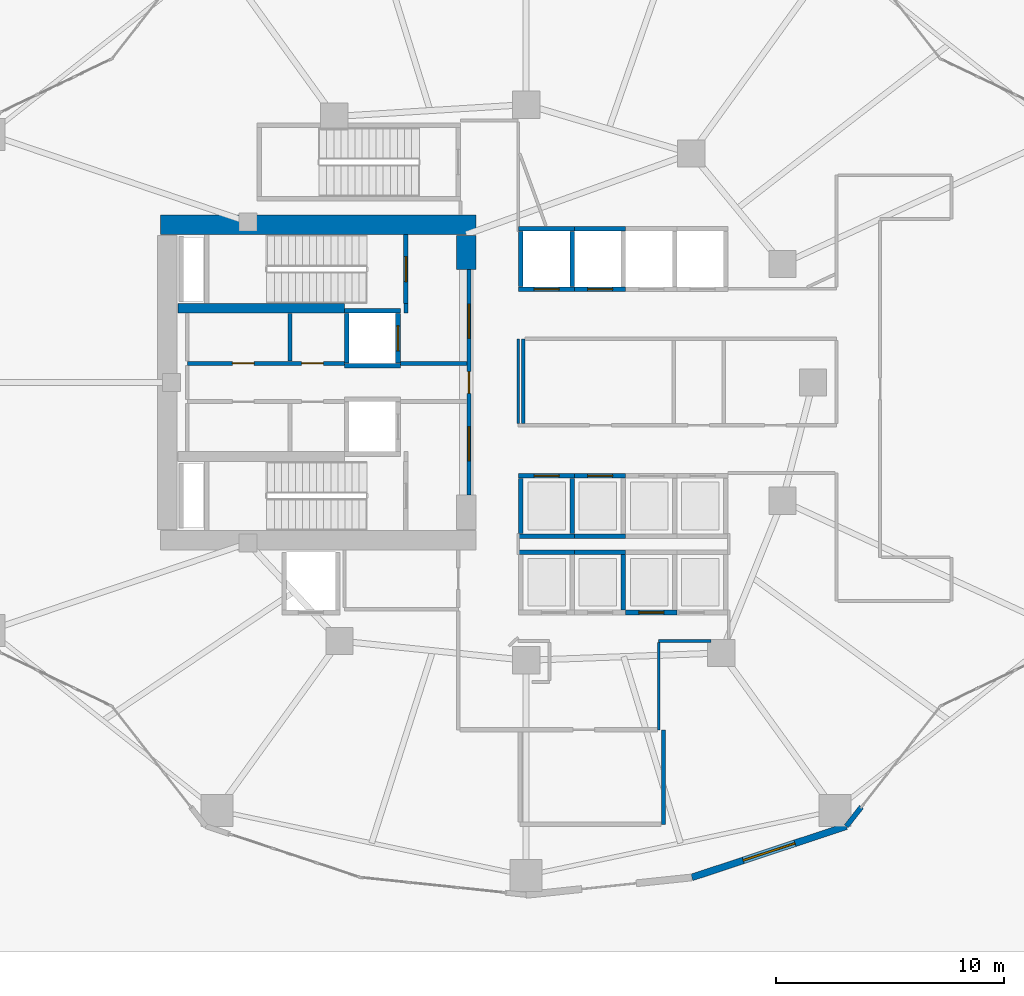
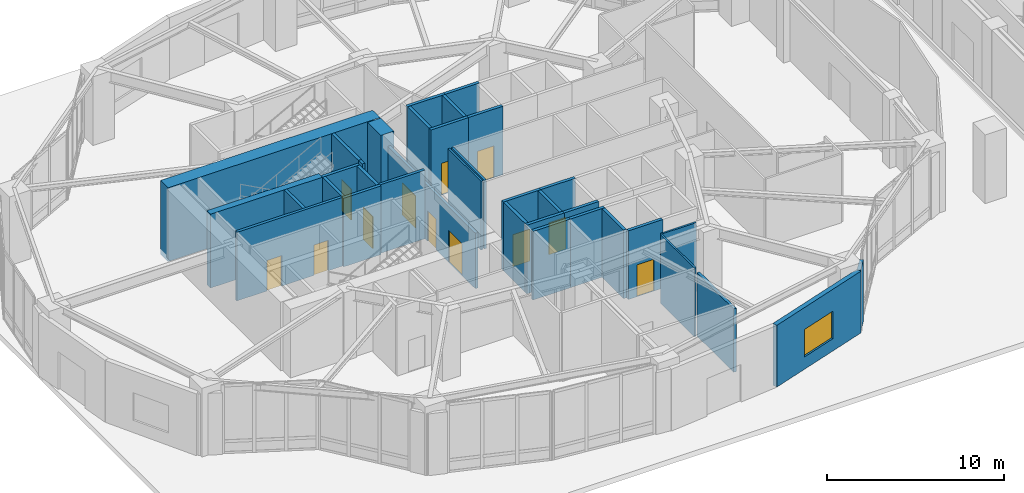
# One storey, part 12 of 23: 36 walls, 12 doors, 1 window, 13 openings.
"""IFC4 building model written with IfcOpenShell, lengths in metres."""

from ifc_helpers import new_model, si_unit, direction, frame, frame_2d, origin, place, context, subcontext, project, spatial, rectangle, extrude, material, layer, layer_set, type_object, element, fill, save


model = new_model("IFC4")

# Units and contexts
model_context = context("Model", 3, precision=1e-05, world=origin(), true_north=direction((0.0, 1.0)))
body_context = subcontext(model_context, "Body", "Model", "MODEL_VIEW")
ifc_project = project(units=[si_unit("LENGTHUNIT", "METRE"), si_unit("AREAUNIT", "SQUARE_METRE"), si_unit("VOLUMEUNIT", "CUBIC_METRE"), si_unit("PLANEANGLEUNIT", "RADIAN"), si_unit("MASSUNIT", "GRAM", prefix="KILO")], contexts=[model_context])

# Site, building, storey
site_placement = place(None, origin())
site = spatial("IfcSite", under=ifc_project, at=site_placement, CompositionType="ELEMENT")
building_placement = place(site_placement, origin())
building = spatial("IfcBuilding", under=site, at=building_placement, Name="Kolvaren Gate Tower and Convention Centre", CompositionType="ELEMENT")
storey_placement = place(building_placement, origin())
storey = spatial("IfcBuildingStorey", under=building, at=storey_placement, Name="L00", CompositionType="ELEMENT", Elevation=0.0)

# Wall
ifc_material_1 = material(Name="Autoclaved Aerated Masonry Blockwork Class 4 (4.0 MPa)", Category="masonry")
ifc_layer_1 = layer(ifc_material_1, 0.179931640625)
ifc_layer_set_1 = layer_set([ifc_layer_1], Name="Autoclaved Aerated Masonry Blockwork Class 4 (4.0 MPa)")
wall_type_1 = type_object("IfcWallType", Name="ARCH-WL-COMP-180", PredefinedType="SOLIDWALL", material=ifc_layer_set_1)
wall_1_placement = place(storey_placement, frame((24.85009765625, 30.0400390625, 0.0), z_axis=(0.0, 0.0, 1.0), x_axis=(0.0, 1.0, 0.0)))
element("IfcWall", 1, at=wall_1_placement, inside=storey, type_object=wall_type_1, Name="Interior Partition WL-L00-INT-002", PredefinedType="SOLIDWALL", context=body_context, shape_type="SweptSolid", body=[
    extrude(rectangle(XDim=0.419921875, YDim=0.179931640625, at=frame_2d((0.2099609375, 0.0))), origin(), (0.0, 0.0, 1.0), 4.739990234375),
])

# Wall, openings, doors
wall_2_placement = place(storey_placement, frame((27.6201171875, 22.050048828125, 0.0), z_axis=(0.0, 0.0, 1.0), x_axis=(0.0, 1.0, 0.0)))
wall_2 = element("IfcWall", 2, at=wall_2_placement, inside=storey, type_object=wall_type_1, Name="Interior Partition WL-L00-INT-003", PredefinedType="SOLIDWALL", context=body_context, shape_type="SweptSolid", body=[
    extrude(rectangle(XDim=9.89990234375, YDim=0.179931640625, at=frame_2d((4.949951171875, 0.0))), origin(), (0.0, 0.0, 1.0), 3.83203125),
])
opening_1_placement = place(wall_2_placement, frame((4.47509765625, 0.0, 0.0)))
opening_1 = element("IfcOpeningElement", 3, at=opening_1_placement, cuts=wall_2, Name="Opening DR-01", PredefinedType="OPENING", context=body_context, shape_type="SweptSolid", body=[
    extrude(rectangle(XDim=0.949951171875, YDim=2.10009765625, at=frame_2d((0.47509765625, 1.050048828125))), frame((0.0, 0.099853515625, 0.0), z_axis=(0.0, -1.0, 0.0), x_axis=(1.0, 0.0, 0.0)), (0.0, 0.0, 1.0), 0.199951171875),
])
opening_2_placement = place(wall_2_placement, frame((6.889892578125, 0.0, 0.0)))
opening_2 = element("IfcOpeningElement", 4, at=opening_2_placement, cuts=wall_2, Name="Opening DL-01", PredefinedType="OPENING", context=body_context, shape_type="SweptSolid", body=[
    extrude(rectangle(XDim=1.5, YDim=2.199951171875, at=frame_2d((0.75, 1.10009765625))), frame((0.0, 0.099853515625, 0.0), z_axis=(0.0, -1.0, 0.0), x_axis=(1.0, 0.0, 0.0)), (0.0, 0.0, 1.0), 0.199951171875),
])
opening_3_placement = place(wall_2_placement, frame((1.510009765625, 0.0, 0.0)))
opening_3 = element("IfcOpeningElement", 5, at=opening_3_placement, cuts=wall_2, Name="Opening DL-01", PredefinedType="OPENING", context=body_context, shape_type="SweptSolid", body=[
    extrude(rectangle(XDim=1.5, YDim=2.199951171875, at=frame_2d((0.75, 1.10009765625))), frame((0.0, 0.099853515625, 0.0), z_axis=(0.0, -1.0, 0.0), x_axis=(1.0, 0.0, 0.0)), (0.0, 0.0, 1.0), 0.199951171875),
])
ifc_material_2 = material(Name="Painted Architectural Steelwork ASTM A500 Grade C 345 MPa", Category="steel")
door_type_1 = type_object("IfcDoorType", Name="ARCH-DR-LOBBY-1500", OperationType="DOUBLE_DOOR_SINGLE_SWING", PredefinedType="DOOR", material=ifc_material_2)
door_1_placement = place(opening_2_placement, origin())
door_1 = element("IfcDoor", 6, at=door_1_placement, inside=storey, type_object=door_type_1, Name="North Firefighting Stair and Lift Lobby Door", OperationType="DOUBLE_DOOR_SINGLE_SWING", OverallHeight=2.199951171875, OverallWidth=1.5, PredefinedType="DOOR", context=body_context, shape_type="SweptSolid", body=[
    extrude(rectangle(XDim=1.5, YDim=2.199951171875, at=frame_2d((0.75, 1.10009765625))), frame((0.0, 0.02490234375, 0.0), z_axis=(0.0, -1.0, 0.0), x_axis=(1.0, 0.0, 0.0)), (0.0, 0.0, 1.0), 0.050048828125),
])
fill(opening_2, door_1)
door_2_placement = place(opening_3_placement, origin())
door_2 = element("IfcDoor", 7, at=door_2_placement, inside=storey, type_object=door_type_1, Name="South Firefighting Stair and Lift Lobby Door", OperationType="DOUBLE_DOOR_SINGLE_SWING", OverallHeight=2.199951171875, OverallWidth=1.5, PredefinedType="DOOR", context=body_context, shape_type="SweptSolid", body=[
    extrude(rectangle(XDim=1.5, YDim=2.199951171875, at=frame_2d((0.75, 1.10009765625))), frame((0.0, 0.02490234375, 0.0), z_axis=(0.0, -1.0, 0.0), x_axis=(1.0, 0.0, 0.0)), (0.0, 0.0, 1.0), 0.050048828125),
])
fill(opening_3, door_2)
door_type_2 = type_object("IfcDoorType", Name="ARCH-DR-RISER-950", OperationType="SINGLE_SWING_RIGHT", PredefinedType="DOOR", material=ifc_material_2)
door_3_placement = place(opening_1_placement, origin())
door_3 = element("IfcDoor", 8, at=door_3_placement, inside=storey, type_object=door_type_2, Name="Central MEP Service Corridor Door", OperationType="SINGLE_SWING_LEFT", OverallHeight=2.10009765625, OverallWidth=0.949951171875, PredefinedType="DOOR", context=body_context, shape_type="SweptSolid", body=[
    extrude(rectangle(XDim=0.949951171875, YDim=2.10009765625, at=frame_2d((0.47509765625, 1.050048828125))), frame((0.0, 0.02490234375, 0.0), z_axis=(0.0, -1.0, 0.0), x_axis=(1.0, 0.0, 0.0)), (0.0, 0.0, 1.0), 0.050048828125),
])
fill(opening_1, door_3)

wall_3_placement = place(storey_placement, frame((15.25, 27.840087890625, 0.0), z_axis=(0.0, 0.0, 1.0), x_axis=(1.0, 0.0, 0.0)))
wall_3 = element("IfcWall", 9, at=wall_3_placement, inside=storey, type_object=wall_type_1, Name="Interior Partition WL-L00-INT-004", PredefinedType="SOLIDWALL", context=body_context, shape_type="SweptSolid", body=[
    extrude(rectangle(XDim=6.89990234375, YDim=0.179931640625, at=frame_2d((3.449951171875, 0.0))), origin(), (0.0, 0.0, 1.0), 4.739990234375),
])
opening_4_placement = place(wall_3_placement, frame((5.02001953125, 0.0, 0.0)))
opening_4 = element("IfcOpeningElement", 10, at=opening_4_placement, cuts=wall_3, Name="Opening DR-01", PredefinedType="OPENING", context=body_context, shape_type="SweptSolid", body=[
    extrude(rectangle(XDim=0.949951171875, YDim=2.10009765625, at=frame_2d((0.47509765625, 1.050048828125))), frame((0.0, 0.099853515625, 0.0), z_axis=(0.0, -1.0, 0.0), x_axis=(1.0, 0.0, 0.0)), (0.0, 0.0, 1.0), 0.199951171875),
])
opening_5_placement = place(wall_3_placement, frame((1.97998046875, 0.0, 0.0)))
opening_5 = element("IfcOpeningElement", 11, at=opening_5_placement, cuts=wall_3, Name="Opening DR-01", PredefinedType="OPENING", context=body_context, shape_type="SweptSolid", body=[
    extrude(rectangle(XDim=0.949951171875, YDim=2.10009765625, at=frame_2d((0.47509765625, 1.050048828125))), frame((0.0, 0.099853515625, 0.0), z_axis=(0.0, -1.0, 0.0), x_axis=(1.0, 0.0, 0.0)), (0.0, 0.0, 1.0), 0.199951171875),
])
door_4_placement = place(opening_4_placement, origin())
door_4 = element("IfcDoor", 12, at=door_4_placement, inside=storey, type_object=door_type_2, Name="Electrical Switchgear Closet Door", OperationType="SINGLE_SWING_RIGHT", OverallHeight=2.10009765625, OverallWidth=0.949951171875, PredefinedType="DOOR", context=body_context, shape_type="SweptSolid", body=[
    extrude(rectangle(XDim=0.949951171875, YDim=2.10009765625, at=frame_2d((0.47509765625, 1.050048828125))), frame((0.0, 0.02490234375, 0.0), z_axis=(0.0, -1.0, 0.0), x_axis=(1.0, 0.0, 0.0)), (0.0, 0.0, 1.0), 0.050048828125),
])
fill(opening_4, door_4)
door_5_placement = place(opening_5_placement, origin())
door_5 = element("IfcDoor", 13, at=door_5_placement, inside=storey, type_object=door_type_2, Name="Staff Powder Washroom Door", OperationType="SINGLE_SWING_RIGHT", OverallHeight=2.10009765625, OverallWidth=0.949951171875, PredefinedType="DOOR", context=body_context, shape_type="SweptSolid", body=[
    extrude(rectangle(XDim=0.949951171875, YDim=2.10009765625, at=frame_2d((0.47509765625, 1.050048828125))), frame((0.0, 0.02490234375, 0.0), z_axis=(0.0, -1.0, 0.0), x_axis=(1.0, 0.0, 0.0)), (0.0, 0.0, 1.0), 0.050048828125),
])
fill(opening_5, door_5)

# Walls
wall_4_placement = place(storey_placement, frame((24.60009765625, 27.840087890625, 0.0), z_axis=(0.0, 0.0, 1.0), x_axis=(1.0, 0.0, 0.0)))
element("IfcWall", 14, at=wall_4_placement, inside=storey, type_object=wall_type_1, Name="Interior Partition WL-L00-INT-004 (2)", PredefinedType="SOLIDWALL", context=body_context, shape_type="SweptSolid", body=[
    extrude(rectangle(XDim=2.927978515625, YDim=0.179931640625, at=frame_2d((1.4638671875, 0.0))), origin(), (0.0, 0.0, 1.0), 4.739990234375),
])
wall_5_placement = place(storey_placement, frame((19.75, 27.931884765625, 0.0), z_axis=(0.0, 0.0, 1.0), x_axis=(0.0, 1.0, 0.0)))
element("IfcWall", 15, at=wall_5_placement, inside=storey, type_object=wall_type_1, Name="Interior Partition WL-L00-INT-008", PredefinedType="SOLIDWALL", context=body_context, shape_type="SweptSolid", body=[
    extrude(rectangle(XDim=2.106201171875, YDim=0.179931640625, at=frame_2d((1.05322265625, 0.0))), origin(), (0.0, 0.0, 1.0), 4.739990234375),
])
wall_6_placement = place(storey_placement, frame((36.14990234375, 7.60009765625, 0.0), z_axis=(0.0, 0.0, 1.0), x_axis=(0.0, 1.0, 0.0)))
element("IfcWall", 16, at=wall_6_placement, inside=storey, type_object=wall_type_1, Name="Interior Partition WL-L00-INT-043", PredefinedType="SOLIDWALL", context=body_context, shape_type="SweptSolid", body=[
    extrude(rectangle(XDim=4.14990234375, YDim=0.179931640625, at=frame_2d((2.074951171875, 0.0))), origin(), (0.0, 0.0, 1.0), 4.375),
])
ifc_material_3 = material(Name="Fire-Rated Acoustic Gypsum Stud Partition", Category="gypsum")
ifc_layer_2 = layer(ifc_material_3, 0.1201171875)
ifc_layer_set_2 = layer_set([ifc_layer_2], Name="Fire-Rated Acoustic Gypsum Stud Partition")
wall_type_2 = type_object("IfcWallType", Name="ARCH-WL-PART-120", PredefinedType="PARTITIONING", material=ifc_layer_set_2)
wall_7_placement = place(storey_placement, frame((35.949951171875, 15.64990234375, 0.0), z_axis=(0.0, 0.0, 1.0), x_axis=(1.0, 0.0, 0.0)))
element("IfcWall", 17, at=wall_7_placement, inside=storey, type_object=wall_type_2, Name="Interior Partition WL-L00-INT-018", PredefinedType="PARTITIONING", context=body_context, shape_type="SweptSolid", body=[
    extrude(rectangle(XDim=2.291015625, YDim=0.1201171875, at=frame_2d((1.1455078125, 0.0))), origin(), (0.0, 0.0, 1.0), 4.739990234375),
])
wall_8_placement = place(storey_placement, frame((35.949951171875, 11.75, 0.0), z_axis=(0.0, 0.0, 1.0), x_axis=(0.0, 1.0, 0.0)))
element("IfcWall", 18, at=wall_8_placement, inside=storey, type_object=wall_type_2, Name="Interior Partition WL-L00-INT-019", PredefinedType="PARTITIONING", context=body_context, shape_type="SweptSolid", body=[
    extrude(rectangle(XDim=3.837890625, YDim=0.1201171875, at=frame_2d((1.9189453125, 0.0))), origin(), (0.0, 0.0, 1.0), 4.739990234375),
])
wall_9_placement = place(storey_placement, frame((29.780029296875, 25.197021484375, 0.0), z_axis=(0.0, 0.0, 1.0), x_axis=(0.0, 1.0, 0.0)))
element("IfcWall", 19, at=wall_9_placement, inside=storey, type_object=wall_type_2, Name="Interior Partition WL-L00-INT-024", PredefinedType="PARTITIONING", context=body_context, shape_type="SweptSolid", body=[
    extrude(rectangle(XDim=3.722900390625, YDim=0.1201171875, at=frame_2d((1.861328125, 0.0))), origin(), (0.0, 0.0, 1.0), 4.739990234375),
])
ifc_material_4 = material(Name="Bogota Sabana Bush-Hammered Sandstone Cladding", Category="masonry")
ifc_layer_3 = layer(ifc_material_4, 0.219970703125)
ifc_layer_set_3 = layer_set([ifc_layer_3], Name="Bogota Sabana Bush-Hammered Sandstone Cladding")
wall_type_3 = type_object("IfcWallType", Name="ARCH-WL-PIER-220", PredefinedType="SOLIDWALL", material=ifc_layer_set_3)
wall_10_placement = place(storey_placement, frame((44.1875, 7.514404296875, 0.0), z_axis=(0.0, 0.0, 1.0), x_axis=(0.616387780378, 0.787442762492, 0.0)))
element("IfcWall", 20, at=wall_10_placement, inside=storey, type_object=wall_type_3, Name="Tower L00 Unitised Curtain Wall CW-POD-GLZ Bay 20 Left Column Pier Wrap", PredefinedType="SOLIDWALL", context=body_context, shape_type="SweptSolid", body=[
    extrude(rectangle(XDim=1.076171875, YDim=0.219970703125, at=frame_2d((0.5380859375, 0.0))), origin(), (0.0, 0.0, 1.0), 4.262939453125),
])
ifc_layer_4 = layer(ifc_material_1, 0.199951171875)
ifc_layer_set_4 = layer_set([ifc_layer_4], Name="Autoclaved Aerated Masonry Blockwork Class 4 (4.0 MPa)")
wall_type_4 = type_object("IfcWallType", Name="ARCH-WL-SHAFT-200", PredefinedType="SOLIDWALL", material=ifc_layer_set_4)
for number, where, z_axis, x_axis, name in (
    (21, (22.14990234375, 30.139892578125, 0.0), (0.0, 0.0, 1.0), (1.0, 0.0, 0.0), "Elevator FF-01 L00 Fire Shaft Wall N"),
    (22, (22.14990234375, 27.739990234375, 0.0), (0.0, 0.0, 1.0), (1.0, 0.0, 0.0), "Elevator FF-01 L00 Fire Shaft Wall S"),
):
    element("IfcWall", number, at=place(storey_placement, frame(where, z_axis=z_axis, x_axis=x_axis)), inside=storey, type_object=wall_type_4, Name=name, PredefinedType="SOLIDWALL", context=body_context, shape_type="SweptSolid", body=[
        extrude(rectangle(XDim=2.4501953125, YDim=0.199951171875, at=frame_2d((1.22509765625, 0.0))), origin(), (0.0, 0.0, 1.0), 4.739990234375),
    ])
wall_11_placement = place(storey_placement, frame((22.25, 27.85009765625, 0.0), z_axis=(0.0, 0.0, 1.0), x_axis=(0.0, 1.0, 0.0)))
element("IfcWall", 23, at=wall_11_placement, inside=storey, type_object=wall_type_4, Name="Elevator FF-01 L00 Fire Shaft Wall W", PredefinedType="SOLIDWALL", context=body_context, shape_type="SweptSolid", body=[
    extrude(rectangle(XDim=2.179931640625, YDim=0.199951171875, at=frame_2d((1.08984375, 0.0))), origin(), (0.0, 0.0, 1.0), 4.739990234375),
])

# Wall, opening, door
wall_12_placement = place(storey_placement, frame((24.5, 27.85009765625, 0.0), z_axis=(0.0, 0.0, 1.0), x_axis=(0.0, 1.0, 0.0)))
wall_12 = element("IfcWall", 24, at=wall_12_placement, inside=storey, type_object=wall_type_4, Name="Elevator FF-01 L00 Fire Shaft Wall E", PredefinedType="SOLIDWALL", context=body_context, shape_type="SweptSolid", body=[
    extrude(rectangle(XDim=2.179931640625, YDim=0.199951171875, at=frame_2d((1.08984375, 0.0))), origin(), (0.0, 0.0, 1.0), 4.739990234375),
])
opening_6_placement = place(wall_12_placement, frame((0.5400390625, 0.0, 0.0)))
opening_6 = element("IfcOpeningElement", 25, at=opening_6_placement, cuts=wall_12, Name="Opening LD", PredefinedType="OPENING", context=body_context, shape_type="SweptSolid", body=[
    extrude(rectangle(XDim=1.10009765625, YDim=2.199951171875, at=frame_2d((0.550048828125, 1.10009765625))), frame((0.0, 0.10986328125, 0.0), z_axis=(0.0, -1.0, 0.0), x_axis=(1.0, 0.0, 0.0)), (0.0, 0.0, 1.0), 0.219970703125),
])
ifc_material_5 = material(Name="Brushed Stainless Steel Grade 316L", Category="steel")
door_type_3 = type_object("IfcDoorType", Name="ARCH-DR-LIFT-1100", OperationType="SLIDING_TO_LEFT", PredefinedType="DOOR", material=ifc_material_5)
door_6_placement = place(opening_6_placement, origin())
door_6 = element("IfcDoor", 26, at=door_6_placement, inside=storey, type_object=door_type_3, Name="Elevator FF-01 L00 Sliding Landing Door", OperationType="SLIDING_TO_LEFT", OverallHeight=2.199951171875, OverallWidth=1.10009765625, PredefinedType="DOOR", context=body_context, shape_type="SweptSolid", body=[
    extrude(rectangle(XDim=1.10009765625, YDim=2.199951171875, at=frame_2d((0.550048828125, 1.10009765625))), frame((0.0, 0.02490234375, 0.0), z_axis=(0.0, -1.0, 0.0), x_axis=(1.0, 0.0, 0.0)), (0.0, 0.0, 1.0), 0.050048828125),
])
fill(opening_6, door_6)

# Wall
wall_13_placement = place(storey_placement, frame((29.800048828125, 33.75, 0.0), z_axis=(0.0, 0.0, 1.0), x_axis=(1.0, 0.0, 0.0)))
element("IfcWall", 27, at=wall_13_placement, inside=storey, type_object=wall_type_4, Name="Elevator PL-01 L00 Fire Shaft Wall N", PredefinedType="SOLIDWALL", context=body_context, shape_type="SweptSolid", body=[
    extrude(rectangle(XDim=2.449951171875, YDim=0.199951171875, at=frame_2d((1.22509765625, 0.0))), origin(), (0.0, 0.0, 1.0), 4.739990234375),
])

# Wall, opening, door
wall_14_placement = place(storey_placement, frame((29.800048828125, 31.10009765625, 0.0), z_axis=(0.0, 0.0, 1.0), x_axis=(1.0, 0.0, 0.0)))
wall_14 = element("IfcWall", 28, at=wall_14_placement, inside=storey, type_object=wall_type_4, Name="Elevator PL-01 L00 Fire Shaft Wall S", PredefinedType="SOLIDWALL", context=body_context, shape_type="SweptSolid", body=[
    extrude(rectangle(XDim=2.449951171875, YDim=0.199951171875, at=frame_2d((1.22509765625, 0.0))), origin(), (0.0, 0.0, 1.0), 4.739990234375),
])
opening_7_placement = place(wall_14_placement, frame((0.675048828125, 0.0, 0.0)))
opening_7 = element("IfcOpeningElement", 29, at=opening_7_placement, cuts=wall_14, Name="Opening LD", PredefinedType="OPENING", context=body_context, shape_type="SweptSolid", body=[
    extrude(rectangle(XDim=1.10009765625, YDim=2.199951171875, at=frame_2d((0.550048828125, 1.10009765625))), frame((0.0, 0.10986328125, 0.0), z_axis=(0.0, -1.0, 0.0), x_axis=(1.0, 0.0, 0.0)), (0.0, 0.0, 1.0), 0.219970703125),
])
door_7_placement = place(opening_7_placement, origin())
door_7 = element("IfcDoor", 30, at=door_7_placement, inside=storey, type_object=door_type_3, Name="Elevator PL-01 L00 Sliding Landing Door", OperationType="SLIDING_TO_LEFT", OverallHeight=2.199951171875, OverallWidth=1.10009765625, PredefinedType="DOOR", context=body_context, shape_type="SweptSolid", body=[
    extrude(rectangle(XDim=1.10009765625, YDim=2.199951171875, at=frame_2d((0.550048828125, 1.10009765625))), frame((0.0, 0.02490234375, 0.0), z_axis=(0.0, -1.0, 0.0), x_axis=(1.0, 0.0, 0.0)), (0.0, 0.0, 1.0), 0.050048828125),
])
fill(opening_7, door_7)

# Walls
for number, where, z_axis, x_axis, name in (
    (31, (29.89990234375, 31.2099609375, 0.0), (0.0, 0.0, 1.0), (0.0, 1.0, 0.0), "Elevator PL-01 L00 Fire Shaft Wall W"),
    (32, (32.14990234375, 31.2099609375, 0.0), (0.0, 0.0, 1.0), (0.0, 1.0, 0.0), "Elevator PL-01 L00 Fire Shaft Wall E"),
):
    element("IfcWall", number, at=place(storey_placement, frame(where, z_axis=z_axis, x_axis=x_axis)), inside=storey, type_object=wall_type_4, Name=name, PredefinedType="SOLIDWALL", context=body_context, shape_type="SweptSolid", body=[
        extrude(rectangle(XDim=2.429931640625, YDim=0.199951171875, at=frame_2d((1.21484375, 0.0))), origin(), (0.0, 0.0, 1.0), 4.739990234375),
    ])
wall_15_placement = place(storey_placement, frame((32.25, 33.75, 0.0), z_axis=(0.0, 0.0, 1.0), x_axis=(1.0, 0.0, 0.0)))
element("IfcWall", 33, at=wall_15_placement, inside=storey, type_object=wall_type_4, Name="Elevator PL-02 L00 Fire Shaft Wall N", PredefinedType="SOLIDWALL", context=body_context, shape_type="SweptSolid", body=[
    extrude(rectangle(XDim=2.25, YDim=0.199951171875, at=frame_2d((1.125, 0.0))), origin(), (0.0, 0.0, 1.0), 4.739990234375),
])

# Wall, opening, door
wall_16_placement = place(storey_placement, frame((32.25, 31.10009765625, 0.0), z_axis=(0.0, 0.0, 1.0), x_axis=(1.0, 0.0, 0.0)))
wall_16 = element("IfcWall", 34, at=wall_16_placement, inside=storey, type_object=wall_type_4, Name="Elevator PL-02 L00 Fire Shaft Wall S", PredefinedType="SOLIDWALL", context=body_context, shape_type="SweptSolid", body=[
    extrude(rectangle(XDim=2.25, YDim=0.199951171875, at=frame_2d((1.125, 0.0))), origin(), (0.0, 0.0, 1.0), 4.739990234375),
])
opening_8_placement = place(wall_16_placement, frame((0.574951171875, 0.0, 0.0)))
opening_8 = element("IfcOpeningElement", 35, at=opening_8_placement, cuts=wall_16, Name="Opening LD", PredefinedType="OPENING", context=body_context, shape_type="SweptSolid", body=[
    extrude(rectangle(XDim=1.10009765625, YDim=2.199951171875, at=frame_2d((0.550048828125, 1.10009765625))), frame((0.0, 0.10986328125, 0.0), z_axis=(0.0, -1.0, 0.0), x_axis=(1.0, 0.0, 0.0)), (0.0, 0.0, 1.0), 0.219970703125),
])
door_8_placement = place(opening_8_placement, origin())
door_8 = element("IfcDoor", 36, at=door_8_placement, inside=storey, type_object=door_type_3, Name="Elevator PL-02 L00 Sliding Landing Door", OperationType="SLIDING_TO_LEFT", OverallHeight=2.199951171875, OverallWidth=1.10009765625, PredefinedType="DOOR", context=body_context, shape_type="SweptSolid", body=[
    extrude(rectangle(XDim=1.10009765625, YDim=2.199951171875, at=frame_2d((0.550048828125, 1.10009765625))), frame((0.0, 0.02490234375, 0.0), z_axis=(0.0, -1.0, 0.0), x_axis=(1.0, 0.0, 0.0)), (0.0, 0.0, 1.0), 0.050048828125),
])
fill(opening_8, door_8)

# Walls
wall_17_placement = place(storey_placement, frame((29.800048828125, 19.550048828125, 0.0), z_axis=(0.0, 0.0, 1.0), x_axis=(1.0, 0.0, 0.0)))
element("IfcWall", 37, at=wall_17_placement, inside=storey, type_object=wall_type_4, Name="Elevator PL-05 L00 Fire Shaft Wall N", PredefinedType="SOLIDWALL", context=body_context, shape_type="SweptSolid", body=[
    extrude(rectangle(XDim=2.449951171875, YDim=0.199951171875, at=frame_2d((1.22509765625, 0.0))), origin(), (0.0, 0.0, 1.0), 4.739990234375),
])
wall_18_placement = place(storey_placement, frame((32.25, 19.550048828125, 0.0), z_axis=(0.0, 0.0, 1.0), x_axis=(1.0, 0.0, 0.0)))
element("IfcWall", 38, at=wall_18_placement, inside=storey, type_object=wall_type_4, Name="Elevator PL-06 L00 Fire Shaft Wall N", PredefinedType="SOLIDWALL", context=body_context, shape_type="SweptSolid", body=[
    extrude(rectangle(XDim=2.25, YDim=0.199951171875, at=frame_2d((1.125, 0.0))), origin(), (0.0, 0.0, 1.0), 4.739990234375),
])
wall_19_placement = place(storey_placement, frame((34.39990234375, 17.010009765625, 0.0), z_axis=(0.0, 0.0, 1.0), x_axis=(0.0, 1.0, 0.0)))
element("IfcWall", 39, at=wall_19_placement, inside=storey, type_object=wall_type_4, Name="Elevator PL-06 L00 Fire Shaft Wall E", PredefinedType="SOLIDWALL", context=body_context, shape_type="SweptSolid", body=[
    extrude(rectangle(XDim=2.429931640625, YDim=0.199951171875, at=frame_2d((1.21484375, 0.0))), origin(), (0.0, 0.0, 1.0), 4.739990234375),
])

# Wall, opening, door
wall_20_placement = place(storey_placement, frame((34.5, 16.89990234375, 0.0), z_axis=(0.0, 0.0, 1.0), x_axis=(1.0, 0.0, 0.0)))
wall_20 = element("IfcWall", 40, at=wall_20_placement, inside=storey, type_object=wall_type_4, Name="Elevator PL-07 L00 Fire Shaft Wall S", PredefinedType="SOLIDWALL", context=body_context, shape_type="SweptSolid", body=[
    extrude(rectangle(XDim=2.25, YDim=0.199951171875, at=frame_2d((1.125, 0.0))), origin(), (0.0, 0.0, 1.0), 4.739990234375),
])
opening_9_placement = place(wall_20_placement, frame((0.574951171875, 0.0, 0.0)))
opening_9 = element("IfcOpeningElement", 41, at=opening_9_placement, cuts=wall_20, Name="Opening LD", PredefinedType="OPENING", context=body_context, shape_type="SweptSolid", body=[
    extrude(rectangle(XDim=1.10009765625, YDim=2.199951171875, at=frame_2d((0.550048828125, 1.10009765625))), frame((0.0, 0.10986328125, 0.0), z_axis=(0.0, -1.0, 0.0), x_axis=(1.0, 0.0, 0.0)), (0.0, 0.0, 1.0), 0.219970703125),
])
door_9_placement = place(opening_9_placement, origin())
door_9 = element("IfcDoor", 42, at=door_9_placement, inside=storey, type_object=door_type_3, Name="Elevator PL-07 L00 Sliding Landing Door", OperationType="SLIDING_TO_LEFT", OverallHeight=2.199951171875, OverallWidth=1.10009765625, PredefinedType="DOOR", context=body_context, shape_type="SweptSolid", body=[
    extrude(rectangle(XDim=1.10009765625, YDim=2.199951171875, at=frame_2d((0.550048828125, 1.10009765625))), frame((0.0, 0.02490234375, 0.0), z_axis=(0.0, -1.0, 0.0), x_axis=(1.0, 0.0, 0.0)), (0.0, 0.0, 1.0), 0.050048828125),
])
fill(opening_9, door_9)

wall_21_placement = place(storey_placement, frame((29.800048828125, 22.89990234375, 0.0), z_axis=(0.0, 0.0, 1.0), x_axis=(1.0, 0.0, 0.0)))
wall_21 = element("IfcWall", 43, at=wall_21_placement, inside=storey, type_object=wall_type_4, Name="Elevator PL-09 L00 Fire Shaft Wall N", PredefinedType="SOLIDWALL", context=body_context, shape_type="SweptSolid", body=[
    extrude(rectangle(XDim=2.449951171875, YDim=0.199951171875, at=frame_2d((1.22509765625, 0.0))), origin(), (0.0, 0.0, 1.0), 4.739990234375),
])
opening_10_placement = place(wall_21_placement, frame((0.675048828125, 0.0, 0.0)))
opening_10 = element("IfcOpeningElement", 44, at=opening_10_placement, cuts=wall_21, Name="Opening LD", PredefinedType="OPENING", context=body_context, shape_type="SweptSolid", body=[
    extrude(rectangle(XDim=1.10009765625, YDim=2.199951171875, at=frame_2d((0.550048828125, 1.10009765625))), frame((0.0, 0.10986328125, 0.0), z_axis=(0.0, -1.0, 0.0), x_axis=(1.0, 0.0, 0.0)), (0.0, 0.0, 1.0), 0.219970703125),
])
door_10_placement = place(opening_10_placement, origin())
door_10 = element("IfcDoor", 45, at=door_10_placement, inside=storey, type_object=door_type_3, Name="Elevator PL-09 L00 Sliding Landing Door", OperationType="SLIDING_TO_LEFT", OverallHeight=2.199951171875, OverallWidth=1.10009765625, PredefinedType="DOOR", context=body_context, shape_type="SweptSolid", body=[
    extrude(rectangle(XDim=1.10009765625, YDim=2.199951171875, at=frame_2d((0.550048828125, 1.10009765625))), frame((0.0, 0.02490234375, 0.0), z_axis=(0.0, -1.0, 0.0), x_axis=(1.0, 0.0, 0.0)), (0.0, 0.0, 1.0), 0.050048828125),
])
fill(opening_10, door_10)

# Walls
wall_22_placement = place(storey_placement, frame((29.800048828125, 20.25, 0.0), z_axis=(0.0, 0.0, 1.0), x_axis=(1.0, 0.0, 0.0)))
element("IfcWall", 46, at=wall_22_placement, inside=storey, type_object=wall_type_4, Name="Elevator PL-09 L00 Fire Shaft Wall S", PredefinedType="SOLIDWALL", context=body_context, shape_type="SweptSolid", body=[
    extrude(rectangle(XDim=2.449951171875, YDim=0.199951171875, at=frame_2d((1.22509765625, 0.0))), origin(), (0.0, 0.0, 1.0), 4.739990234375),
])
for number, where, z_axis, x_axis, name in (
    (47, (29.89990234375, 20.360107421875, 0.0), (0.0, 0.0, 1.0), (0.0, 1.0, 0.0), "Elevator PL-09 L00 Fire Shaft Wall W"),
    (48, (32.14990234375, 20.360107421875, 0.0), (0.0, 0.0, 1.0), (0.0, 1.0, 0.0), "Elevator PL-09 L00 Fire Shaft Wall E"),
):
    element("IfcWall", number, at=place(storey_placement, frame(where, z_axis=z_axis, x_axis=x_axis)), inside=storey, type_object=wall_type_4, Name=name, PredefinedType="SOLIDWALL", context=body_context, shape_type="SweptSolid", body=[
        extrude(rectangle(XDim=2.429931640625, YDim=0.199951171875, at=frame_2d((1.21484375, 0.0))), origin(), (0.0, 0.0, 1.0), 4.739990234375),
    ])

# Wall, opening, door
wall_23_placement = place(storey_placement, frame((32.25, 22.89990234375, 0.0), z_axis=(0.0, 0.0, 1.0), x_axis=(1.0, 0.0, 0.0)))
wall_23 = element("IfcWall", 49, at=wall_23_placement, inside=storey, type_object=wall_type_4, Name="Elevator PL-10 L00 Fire Shaft Wall N", PredefinedType="SOLIDWALL", context=body_context, shape_type="SweptSolid", body=[
    extrude(rectangle(XDim=2.25, YDim=0.199951171875, at=frame_2d((1.125, 0.0))), origin(), (0.0, 0.0, 1.0), 4.739990234375),
])
opening_11_placement = place(wall_23_placement, frame((0.574951171875, 0.0, 0.0)))
opening_11 = element("IfcOpeningElement", 50, at=opening_11_placement, cuts=wall_23, Name="Opening LD", PredefinedType="OPENING", context=body_context, shape_type="SweptSolid", body=[
    extrude(rectangle(XDim=1.10009765625, YDim=2.199951171875, at=frame_2d((0.550048828125, 1.10009765625))), frame((0.0, 0.10986328125, 0.0), z_axis=(0.0, -1.0, 0.0), x_axis=(1.0, 0.0, 0.0)), (0.0, 0.0, 1.0), 0.219970703125),
])
door_11_placement = place(opening_11_placement, origin())
door_11 = element("IfcDoor", 51, at=door_11_placement, inside=storey, type_object=door_type_3, Name="Elevator PL-10 L00 Sliding Landing Door", OperationType="SLIDING_TO_LEFT", OverallHeight=2.199951171875, OverallWidth=1.10009765625, PredefinedType="DOOR", context=body_context, shape_type="SweptSolid", body=[
    extrude(rectangle(XDim=1.10009765625, YDim=2.199951171875, at=frame_2d((0.550048828125, 1.10009765625))), frame((0.0, 0.02490234375, 0.0), z_axis=(0.0, -1.0, 0.0), x_axis=(1.0, 0.0, 0.0)), (0.0, 0.0, 1.0), 0.050048828125),
])
fill(opening_11, door_11)

# Wall
wall_24_placement = place(storey_placement, frame((32.25, 20.25, 0.0), z_axis=(0.0, 0.0, 1.0), x_axis=(1.0, 0.0, 0.0)))
element("IfcWall", 52, at=wall_24_placement, inside=storey, type_object=wall_type_4, Name="Elevator PL-10 L00 Fire Shaft Wall S", PredefinedType="SOLIDWALL", context=body_context, shape_type="SweptSolid", body=[
    extrude(rectangle(XDim=2.25, YDim=0.199951171875, at=frame_2d((1.125, 0.0))), origin(), (0.0, 0.0, 1.0), 4.739990234375),
])

# Wall, opening, window
ifc_material_6 = material(Name="Piedmont Cream Honed Limestone Cladding", Category="masonry")
ifc_layer_5 = layer(ifc_material_6, 0.300048828125)
ifc_layer_set_5 = layer_set([ifc_layer_5], Name="Piedmont Cream Honed Limestone Cladding")
wall_type_5 = type_object("IfcWallType", Name="ARCH-WL-STONE-300", PredefinedType="SOLIDWALL", material=ifc_layer_set_5)
wall_25_placement = place(storey_placement, frame((37.404296875, 5.2666015625, 0.0), z_axis=(0.0, 0.0, 1.0), x_axis=(0.949238715533, 0.31455661006, 0.0)))
wall_25 = element("IfcWall", 53, at=wall_25_placement, inside=storey, type_object=wall_type_5, Name="Tower L00 Honed Stone Spandrel Wall EW-19", PredefinedType="SOLIDWALL", context=body_context, shape_type="SweptSolid", body=[
    extrude(rectangle(XDim=7.14599609375, YDim=0.300048828125, at=frame_2d((3.572998046875, 0.0))), origin(), (0.0, 0.0, 1.0), 4.262939453125),
])
opening_12_placement = place(wall_25_placement, frame((2.373046875, 0.0, 0.85009765625)))
opening_12 = element("IfcOpeningElement", 54, at=opening_12_placement, cuts=wall_25, Name="Opening W-01", PredefinedType="OPENING", context=body_context, shape_type="SweptSolid", body=[
    extrude(rectangle(XDim=2.39990234375, YDim=1.89990234375, at=frame_2d((1.199951171875, 0.949951171875))), frame((0.0, 0.159912109375, 0.0), z_axis=(0.0, -1.0, 0.0), x_axis=(1.0, 0.0, 0.0)), (0.0, 0.0, 1.0), 0.320068359375),
])
ifc_material_7 = material(Name="Low-E Triple Insulated Glazing Unit 44 mm", Category="glass")
window_type = type_object("IfcWindowType", Name="ARCH-WN-OFF-2400", PartitioningType="SINGLE_PANEL", PredefinedType="WINDOW", material=ifc_material_7)
window_placement = place(opening_12_placement, origin())
window = element("IfcWindow", 55, at=window_placement, inside=storey, type_object=window_type, Name="Tower L00 Punched Stone Facade Window W-19", OverallHeight=1.89990234375, OverallWidth=2.39990234375, PartitioningType="SINGLE_PANEL", PredefinedType="WINDOW", context=body_context, shape_type="SweptSolid", body=[
    extrude(rectangle(XDim=2.39990234375, YDim=1.89990234375, at=frame_2d((1.199951171875, 0.949951171875))), frame((0.0, 0.030029296875, 0.0), z_axis=(0.0, -1.0, 0.0), x_axis=(1.0, 0.0, 0.0)), (0.0, 0.0, 1.0), 0.06005859375),
])
fill(opening_12, window)

# Walls
ifc_material_8 = material(Name="Moisture-Resistant Cement-Board Acoustic Partition", Category="gypsum")
ifc_layer_6 = layer(ifc_material_8, 0.14990234375)
ifc_layer_set_6 = layer_set([ifc_layer_6], Name="Moisture-Resistant Cement-Board Acoustic Partition")
wall_type_6 = type_object("IfcWallType", Name="ARCH-WL-WET-150", PredefinedType="PARTITIONING", material=ifc_layer_set_6)
wall_26_placement = place(storey_placement, frame((30.0, 25.197021484375, 0.0), z_axis=(0.0, 0.0, 1.0), x_axis=(0.0, 1.0, 0.0)))
element("IfcWall", 56, at=wall_26_placement, inside=storey, type_object=wall_type_6, Name="Interior Partition WL-L00-INT-013", PredefinedType="PARTITIONING", context=body_context, shape_type="SweptSolid", body=[
    extrude(rectangle(XDim=3.722900390625, YDim=0.14990234375, at=frame_2d((1.861328125, 0.0))), origin(), (0.0, 0.0, 1.0), 4.739990234375),
])
ifc_material_9 = material(Name="Concrete C50/60", Category="concrete")
ifc_layer_7 = layer(ifc_material_9, 0.419921875)
ifc_layer_set_7 = layer_set([ifc_layer_7], Name="Concrete C50/60")
wall_type_7 = type_object("IfcWallType", Name="STR-WL-CONV-420", PredefinedType="SHEAR", material=ifc_layer_set_7)
wall_27_placement = place(storey_placement, frame((14.85009765625, 30.25, -0.360107421875), z_axis=(0.0, 0.0, 1.0), x_axis=(1.0, 0.0, 0.0)))
element("IfcWall", 57, at=wall_27_placement, inside=storey, type_object=wall_type_7, Name="Tower L00 Offset Core Shear Wall WN", PredefinedType="SHEAR", context=body_context, shape_type="SweptSolid", body=[
    extrude(rectangle(XDim=7.2998046875, YDim=0.419921875, at=frame_2d((3.64990234375, 0.0))), origin(), (0.0, 0.0, 1.0), 5.10009765625),
])
ifc_material_10 = material(Name="Concrete C70/85", Category="concrete")
ifc_layer_8 = layer(ifc_material_10, 0.85009765625)
ifc_layer_set_8 = layer_set([ifc_layer_8], Name="Concrete C70/85")
wall_type_8 = type_object("IfcWallType", Name="STR-WL-CORE-850", PredefinedType="SHEAR", material=ifc_layer_set_8)
wall_28_placement = place(storey_placement, frame((14.074951171875, 33.925048828125, -0.360107421875), z_axis=(0.0, 0.0, 1.0), x_axis=(1.0, 0.0, 0.0)))
element("IfcWall", 58, at=wall_28_placement, inside=storey, type_object=wall_type_8, Name="Tower L00 Offset Core Shear Wall N", PredefinedType="SHEAR", context=body_context, shape_type="SweptSolid", body=[
    extrude(rectangle(XDim=13.85009765625, YDim=0.85009765625, at=frame_2d((6.925048828125, 0.0))), origin(), (0.0, 0.0, 1.0), 5.10009765625),
])
wall_29_placement = place(storey_placement, frame((27.5, 31.949951171875, -0.360107421875), z_axis=(0.0, 0.0, 1.0), x_axis=(0.0, 1.0, 0.0)))
element("IfcWall", 59, at=wall_29_placement, inside=storey, type_object=wall_type_8, Name="Tower L00 Offset Core Shear Wall EN", PredefinedType="SHEAR", context=body_context, shape_type="SweptSolid", body=[
    extrude(rectangle(XDim=1.5, YDim=0.85009765625, at=frame_2d((0.75, 0.0))), origin(), (0.0, 0.0, 1.0), 5.10009765625),
])

# Wall, opening, door
ifc_layer_9 = layer(ifc_material_9, 0.199951171875)
ifc_layer_set_9 = layer_set([ifc_layer_9], Name="Concrete C50/60")
wall_type_9 = type_object("IfcWallType", Name="STR-WL-SHAFT-200", PredefinedType="SHEAR", material=ifc_layer_set_9)
wall_30_placement = place(storey_placement, frame((24.85009765625, 30.4599609375, -0.360107421875), z_axis=(0.0, 0.0, 1.0), x_axis=(0.0, 1.0, 0.0)))
wall_30 = element("IfcWall", 60, at=wall_30_placement, inside=storey, type_object=wall_type_9, Name="Tower North Exit Stair ST-T1 L00 Structural Shear Enclosure Wall NEAR", PredefinedType="SHEAR", context=body_context, shape_type="SweptSolid", body=[
    extrude(rectangle(XDim=3.0380859375, YDim=0.199951171875, at=frame_2d((1.51904296875, 0.0))), origin(), (0.0, 0.0, 1.0), 5.10009765625),
])
opening_13_placement = place(wall_30_placement, frame((0.968994140625, 0.0, 0.360107421875)))
opening_13 = element("IfcOpeningElement", 61, at=opening_13_placement, cuts=wall_30, Name="Opening DS-01", PredefinedType="OPENING", context=body_context, shape_type="SweptSolid", body=[
    extrude(rectangle(XDim=1.10009765625, YDim=2.14990234375, at=frame_2d((0.550048828125, 1.074951171875))), frame((0.0, 0.10986328125, 0.0), z_axis=(0.0, -1.0, 0.0), x_axis=(1.0, 0.0, 0.0)), (0.0, 0.0, 1.0), 0.219970703125),
])
door_type_4 = type_object("IfcDoorType", Name="ARCH-DR-STAIR-1100", OperationType="SINGLE_SWING_LEFT", PredefinedType="DOOR", material=ifc_material_2)
door_12_placement = place(opening_13_placement, origin())
door_12 = element("IfcDoor", 62, at=door_12_placement, inside=storey, type_object=door_type_4, Name="Tower North Exit Stair ST-T1 L00 Fire Exit Stair Door", OperationType="SINGLE_SWING_RIGHT", OverallHeight=2.14990234375, OverallWidth=1.10009765625, PredefinedType="DOOR", context=body_context, shape_type="SweptSolid", body=[
    extrude(rectangle(XDim=1.10009765625, YDim=2.14990234375, at=frame_2d((0.550048828125, 1.074951171875))), frame((0.0, 0.02490234375, 0.0), z_axis=(0.0, -1.0, 0.0), x_axis=(1.0, 0.0, 0.0)), (0.0, 0.0, 1.0), 0.050048828125),
])
fill(opening_13, door_12)

save(model, "model.ifc")
